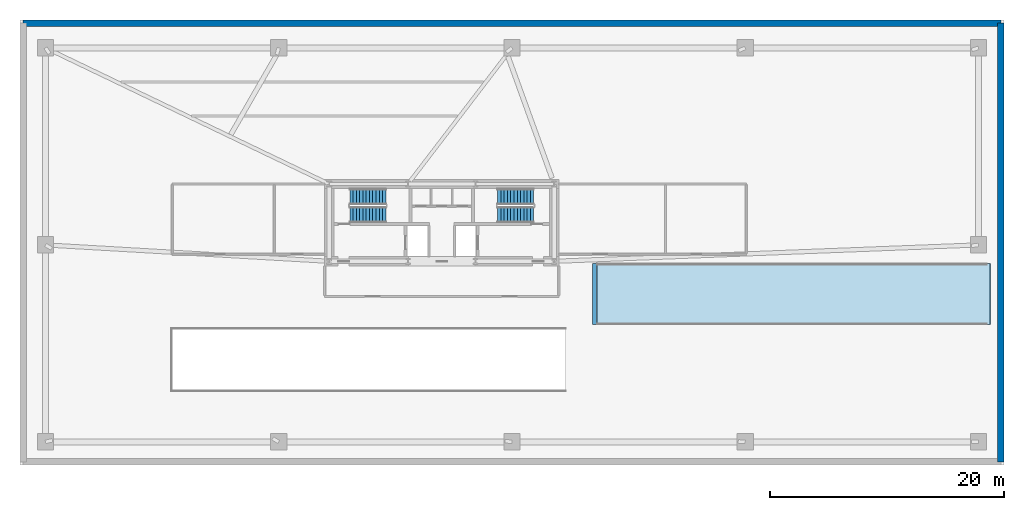
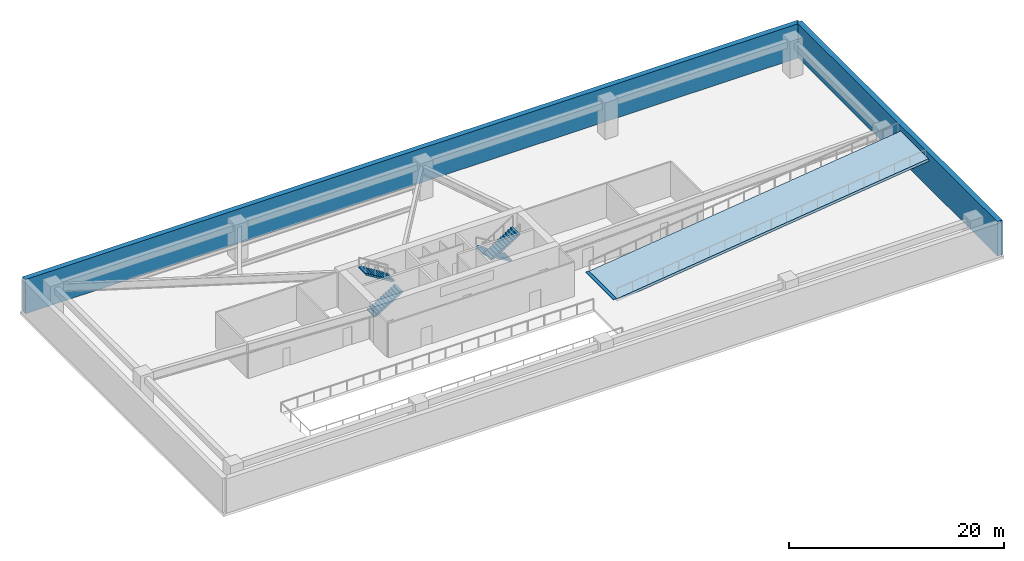
# One storey, part 5 of 7: 4 stair flights, 2 walls, 1 ramp, 1 slab, 2 elements without a shape of their own.
"""IFC4 building model written with IfcOpenShell, lengths in metres."""

from ifc_helpers import new_model, si_unit, direction, frame, frame_2d, origin, place, context, subcontext, project, spatial, polyline, rectangle, outline, extrude, source, transform, mapped, material, layer, layer_set, type_object, type_shapes, element, aggregate, save


model = new_model("IFC4")

# Units and contexts
model_context = context("Model", 3, precision=1e-05, world=origin(), true_north=direction((0.0, 1.0)))
body_context = subcontext(model_context, "Body", "Model", "MODEL_VIEW")
ifc_project = project(units=[si_unit("LENGTHUNIT", "METRE"), si_unit("AREAUNIT", "SQUARE_METRE"), si_unit("VOLUMEUNIT", "CUBIC_METRE"), si_unit("PLANEANGLEUNIT", "RADIAN"), si_unit("MASSUNIT", "GRAM", prefix="KILO")], contexts=[model_context])

# Slab
ifc_material = material(Name="Concrete C50/60", Category="concrete")
ifc_layer_1 = layer(ifc_material, 0.300048828125)
ifc_layer_set_1 = layer_set([ifc_layer_1], Name="Concrete C50/60")
slab_type = type_object("IfcSlabType", Name="SLOPED STRUCTURAL VEHICLE RAMP SLAB 300", PredefinedType="USERDEFINED", material=ifc_layer_set_1)
site_placement = place(None, origin())
building_placement = place(site_placement, origin())
storey_placement = place(building_placement, frame((0.0, 0.0, -4.199951171875)))
slab_placement = place(storey_placement, frame((49.25, 12.0, 0.0), z_axis=(-0.124178657681, 0.0, 0.992259875726), x_axis=(0.992259875726, 0.0, 0.124178657681)))
slab = element("IfcSlab", 1, at=slab_placement, type_object=slab_type, Name="Sloped Structural Vehicle Ramp Slab VR-2 (B01 to L00)", ObjectType="RAMP", PredefinedType="USERDEFINED", context=body_context, shape_type="SweptSolid", body=[
    extrude(outline(polyline([(0.0, 0.0), (33.82184386845382, 0.0), (33.82184386845382, 5.199951171875), (0.0, 5.199951171875), (0.0, 0.0)])), origin(), (0.0, 0.0, -1.0), 0.300048828125),
])

# Site, building, storey
site = spatial("IfcSite", under=ifc_project, at=site_placement, CompositionType="ELEMENT")
building = spatial("IfcBuilding", under=site, at=building_placement, Name="Astriad Promenade Condominiums", CompositionType="ELEMENT")
storey = spatial("IfcBuildingStorey", under=building, at=storey_placement, Name="B01", CompositionType="ELEMENT", Elevation=-4.199951171875)

# Walls
ifc_layer_2 = layer(ifc_material, 0.550048828125)
ifc_layer_set_2 = layer_set([ifc_layer_2], Name="Concrete C50/60")
wall_type = type_object("IfcWallType", Name="WALL-RET-550", PredefinedType="SOLIDWALL", material=ifc_layer_set_2)
wall_1_placement = place(storey_placement, frame((0.27490234375, 37.72509765625, 0.0), z_axis=(0.0, 0.0, 1.0), x_axis=(1.0, 0.0, 0.0)))
element("IfcWall", 2, at=wall_1_placement, inside=storey, type_object=wall_type, Name="W-RET-B01-2", PredefinedType="SOLIDWALL", context=body_context, shape_type="SweptSolid", body=[
    extrude(rectangle(XDim=83.4501953125, YDim=0.550048828125, at=frame_2d((41.72509765625, 0.0))), origin(), (0.0, 0.0, 1.0), 3.89990234375),
])
wall_2_placement = place(storey_placement, frame((83.72509765625, 37.72509765625, 0.0), z_axis=(0.0, 0.0, 1.0), x_axis=(0.0, -1.0, 0.0)))
element("IfcWall", 3, at=wall_2_placement, inside=storey, type_object=wall_type, Name="W-RET-B01-3", PredefinedType="SOLIDWALL", context=body_context, shape_type="SweptSolid", body=[
    extrude(rectangle(XDim=37.4501953125, YDim=0.550048828125, at=frame_2d((18.72509765625, 0.0))), origin(), (0.0, 0.0, 1.0), 3.89990234375),
])

# Stair, stair flights
stair_type = type_object("IfcStairType", Name="STR-CORE-1350", PredefinedType="HALF_TURN_STAIR", material=ifc_material)
stair_1_placement = place(storey_placement, origin())
stair_1 = element("IfcStair", 4, at=stair_1_placement, inside=storey, type_object=stair_type, Name="B01 Enclosed Core Exit Stair ST-1", PredefinedType="HALF_TURN_STAIR")
stair_flight_type = type_object("IfcStairFlightType", Name="SFL-CORE-1350", PredefinedType="STRAIGHT", material=ifc_material)
shared_shape = source(origin(), body_context, "Body", "SweptSolid", [
    extrude(outline(polyline([(0.0, 0.0), (0.0, 0.175048828125), (0.280029296875, 0.175048828125), (0.280029296875, 0.35009765625), (0.56005859375, 0.35009765625), (0.56005859375, 0.52490234375), (0.840087890625, 0.52490234375), (0.840087890625, 0.699951171875), (1.1201171875, 0.699951171875), (1.1201171875, 0.875), (1.39990234375, 0.875), (1.39990234375, 1.050048828125), (1.679931640625, 1.050048828125), (1.679931640625, 1.22509765625), (1.9599609375, 1.22509765625), (1.9599609375, 1.39990234375), (2.239990234375, 1.39990234375), (2.239990234375, 1.574951171875), (2.52001953125, 1.574951171875), (2.52001953125, 1.75), (2.800048828125, 1.75), (2.800048828125, 1.925048828125), (3.080078125, 1.925048828125), (3.080078125, 2.10009765625), (3.080078125, 1.748291015625), (0.28271484375, 0.0), (0.0, 0.0)])), frame((0.0, 0.675048828125, 0.0), z_axis=(0.0, -1.0, 0.0), x_axis=(1.0, 0.0, 0.0)), (0.0, 0.0, 1.0), 1.35009765625),
])
type_shapes(stair_flight_type, [shared_shape])
stair_flight_1_placement = place(storey_placement, frame((28.14990234375, 21.375, 0.0), z_axis=(0.0, 0.0, 1.0), x_axis=(1.0, 0.0, 0.0)))
stair_flight_1 = element("IfcStairFlight", 5, at=stair_flight_1_placement, type_object=stair_flight_type, Name="ST-1 flight 1", NumberOfRisers=12, NumberOfTreads=11, PredefinedType="STRAIGHT", RiserHeight=0.175, TreadLength=0.28, context=body_context, shape_type="MappedRepresentation", body=[
    mapped(shared_shape, transform((0.0, 0.0, 0.0), scale=1.0)),
])
stair_flight_2_placement = place(storey_placement, frame((31.22998046875, 22.925048828125, 2.099853515625), z_axis=(0.0, 0.0, 1.0), x_axis=(-1.0, 0.0, 0.0)))
stair_flight_2 = element("IfcStairFlight", 6, at=stair_flight_2_placement, type_object=stair_flight_type, Name="ST-1 flight 2", NumberOfRisers=12, NumberOfTreads=11, PredefinedType="STRAIGHT", RiserHeight=0.175, TreadLength=0.28, context=body_context, shape_type="MappedRepresentation", body=[
    mapped(shared_shape, transform((0.0, 0.0, 0.0), scale=1.0)),
])
aggregate(stair_1, [stair_flight_1, stair_flight_2])

stair_2_placement = place(storey_placement, origin())
stair_2 = element("IfcStair", 7, at=stair_2_placement, inside=storey, type_object=stair_type, Name="B01 Enclosed Core Exit Stair ST-2", PredefinedType="HALF_TURN_STAIR")
stair_flight_3_placement = place(storey_placement, frame((43.85009765625, 22.925048828125, 0.0), z_axis=(0.0, 0.0, 1.0), x_axis=(-1.0, 0.0, 0.0)))
stair_flight_3 = element("IfcStairFlight", 8, at=stair_flight_3_placement, type_object=stair_flight_type, Name="ST-2 flight 1", NumberOfRisers=12, NumberOfTreads=11, PredefinedType="STRAIGHT", RiserHeight=0.175, TreadLength=0.28, context=body_context, shape_type="MappedRepresentation", body=[
    mapped(shared_shape, transform((0.0, 0.0, 0.0), scale=1.0)),
])
stair_flight_4_placement = place(storey_placement, frame((40.77001953125, 21.375, 2.099853515625), z_axis=(0.0, 0.0, 1.0), x_axis=(1.0, 0.0, 0.0)))
stair_flight_4 = element("IfcStairFlight", 9, at=stair_flight_4_placement, type_object=stair_flight_type, Name="ST-2 flight 2", NumberOfRisers=12, NumberOfTreads=11, PredefinedType="STRAIGHT", RiserHeight=0.175, TreadLength=0.28, context=body_context, shape_type="MappedRepresentation", body=[
    mapped(shared_shape, transform((0.0, 0.0, 0.0), scale=1.0)),
])
aggregate(stair_2, [stair_flight_3, stair_flight_4])

# Ramp
ifc_layer_3 = layer(ifc_material, 0.300048828125)
ifc_layer_set_3 = layer_set([ifc_layer_3], Name="Concrete C50/60")
ramp_type = type_object("IfcRampType", Name="CONCRETE VEHICLE GARAGE RAMP 5200", PredefinedType="STRAIGHT_RUN_RAMP", material=ifc_layer_set_3)
ramp_placement = place(storey_placement, origin())
ramp = element("IfcRamp", 10, at=ramp_placement, inside=storey, type_object=ramp_type, Name="Vehicle Car Park Exit Ramp VR-2 (B01 to L00)", PredefinedType="STRAIGHT_RUN_RAMP", context=body_context, shape_type="SweptSolid", body=[
    extrude(outline(polyline([(48.8701171875, 12.0), (49.22998046875, 12.0), (49.22998046875, 17.199951171875), (48.8701171875, 17.199951171875), (48.8701171875, 12.0)])), origin(), (0.0, 0.0, 1.0), 0.0400390625),
])

aggregate(ramp, [slab])

save(model, "model.ifc")
